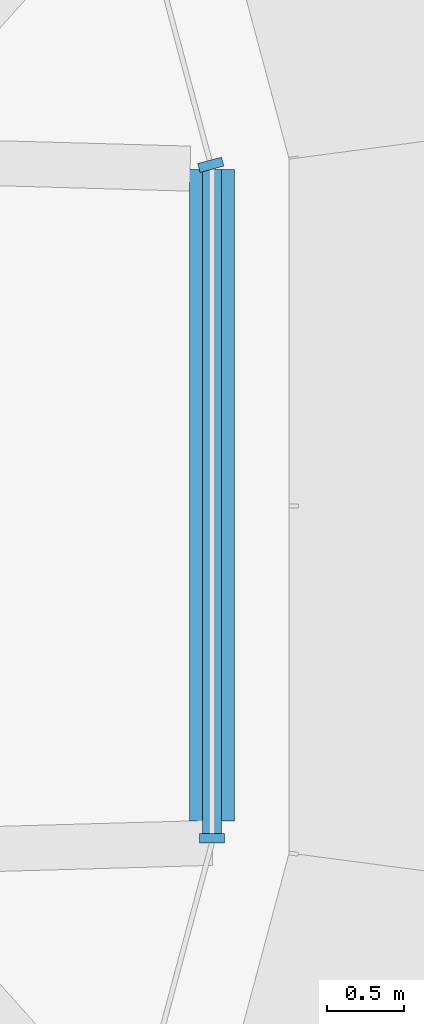
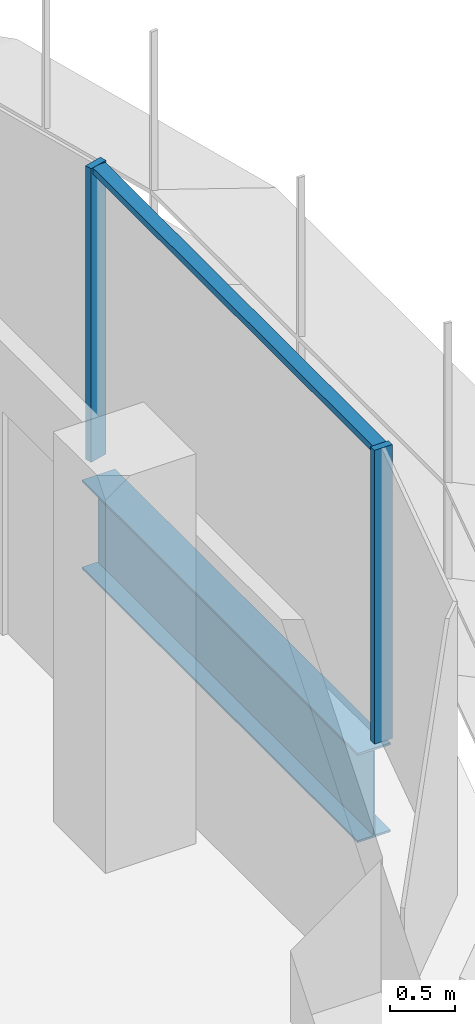
# One storey, part 11 of 20: 3 members, 1 beam, 2 elements without a shape of their own.
"""IFC4 building model written with IfcOpenShell, lengths in metres."""

from ifc_helpers import new_model, si_unit, direction, frame, origin, origin_2d, place, context, subcontext, project, spatial, polyline, i_section, outline, extrude, source, transform, mapped, material, material_profile, profile_set, type_object, element, aggregate, save


model = new_model("IFC4")

# Units and contexts
model_context = context("Model", 3, precision=1e-05, world=origin(), true_north=direction((0.0, 1.0)))
body_context = subcontext(model_context, "Body", "Model", "MODEL_VIEW")
ifc_project = project(units=[si_unit("LENGTHUNIT", "METRE"), si_unit("AREAUNIT", "SQUARE_METRE"), si_unit("VOLUMEUNIT", "CUBIC_METRE"), si_unit("PLANEANGLEUNIT", "RADIAN"), si_unit("MASSUNIT", "GRAM", prefix="KILO")], contexts=[model_context])

# Site, building, storey
site_placement = place(None, origin())
site = spatial("IfcSite", under=ifc_project, at=site_placement, CompositionType="ELEMENT")
building_placement = place(site_placement, origin())
building = spatial("IfcBuilding", under=site, at=building_placement, Name="Zarbagh Exchange Tower", CompositionType="ELEMENT")
storey_placement = place(building_placement, frame((0.0, 0.0, 186.60009765625)))
storey = spatial("IfcBuildingStorey", under=building, at=storey_placement, Name="L45", CompositionType="ELEMENT", Elevation=186.60009765625)

# Beam
ifc_material_1 = material(Name="Steel ASTM A992 Gr 50", Category="steel")
ifc_material_profile = material_profile(ifc_material_1, i_section(OverallWidth=0.2919921875, OverallDepth=0.835693359375, WebThickness=0.013916015625, FlangeThickness=0.018798828125, at=origin_2d()), Name="W33X118")
ifc_profile_set = profile_set([ifc_material_profile], Name="Steel ASTM A992 Gr 50")
beam_type = type_object("IfcBeamType", Name="Floor girder W33X118", PredefinedType="BEAM", material=ifc_profile_set)
beam_placement = place(storey_placement, frame((31.0, 2.18408203125, -0.56787109375), z_axis=(0.0, -1.0, 0.0), x_axis=(1.0, 0.0, 0.0)))
element("IfcBeam", 1, at=beam_placement, inside=storey, type_object=beam_type, Name="Steel girder", PredefinedType="BEAM", context=body_context, shape_type="SweptSolid", body=[
    extrude(i_section(OverallWidth=0.2919921875, OverallDepth=0.835693359375, WebThickness=0.013916015625, FlangeThickness=0.018798828125, at=origin_2d()), origin(), (0.0, 0.0, 1.0), 4.226318359375),
])

# Curtain wall, member
ifc_material_2 = material(Name="Anodised aluminium frame and glazing", Category="aluminium")
curtain_wall_type = type_object("IfcCurtainWallType", Name="CWB Ribbon glazing, upper zones", PredefinedType="NOTDEFINED", material=ifc_material_2)
curtain_wall_1_placement = place(storey_placement, origin())
curtain_wall_1 = element("IfcCurtainWall", 2, at=curtain_wall_1_placement, inside=storey, type_object=curtain_wall_type, Name="CWB12 curtain wall", PredefinedType="NOTDEFINED")
ifc_material_3 = material(Name="Anodised aluminium frame", Category="aluminium")
member_type_1 = type_object("IfcMemberType", Name="MUB Mullion, anodised aluminium frame", PredefinedType="MULLION", material=ifc_material_3)
shared_shape_1 = source(origin(), body_context, "Body", "SweptSolid", [
    extrude(outline(polyline([(0.0, -0.080078125), (0.06005859375, -0.080078125), (0.06005859375, 0.080078125), (0.0, 0.080078125), (0.0, -0.080078125)])), origin(), (0.0, 0.0, 1.0), 2.75),
])
placement = place(storey_placement, origin())
member_1 = element("IfcMember", 3, at=placement, type_object=member_type_1, Name="CWB12 mullion 1.1", PredefinedType="MULLION", context=body_context, shape_type="MappedRepresentation", body=[
    mapped(shared_shape_1, transform((31.0, -2.18408203125, 0.0), x_axis=(0.0, 1.0, 0.0), y_axis=(-1.0, 0.0, 0.0), z_axis=(0.0, 0.0, 1.0))),
])

curtain_wall_2_placement = place(storey_placement, origin())
curtain_wall_2 = element("IfcCurtainWall", 4, at=curtain_wall_2_placement, inside=storey, type_object=curtain_wall_type, Name="CWB13 curtain wall", PredefinedType="NOTDEFINED")
member_2 = element("IfcMember", 5, at=placement, type_object=member_type_1, Name="CWB13 mullion 1.1", PredefinedType="MULLION", context=body_context, shape_type="MappedRepresentation", body=[
    mapped(shared_shape_1, transform((31.0, 2.18408203125, 0.0), x_axis=(-0.258824779902, 0.965924289636, 0.0), y_axis=(-0.965924289636, -0.258824779902, 0.0), z_axis=(0.0, 0.0, 1.0))),
])
aggregate(curtain_wall_2, [member_2])

# Member
member_type_2 = type_object("IfcMemberType", Name="TRB Transom, anodised aluminium frame", PredefinedType="USERDEFINED", material=ifc_material_3)
shared_shape_2 = source(origin(), body_context, "Body", "SweptSolid", [
    extrude(outline(polyline([(-0.06005859375, -0.06005859375), (0.0, -0.06005859375), (0.0, 0.06005859375), (-0.06005859375, 0.06005859375), (-0.06005859375, -0.06005859375)])), origin(), (0.0, 0.0, 1.0), 4.308349609375),
])
member_3 = element("IfcMember", 6, at=placement, type_object=member_type_2, Name="CWB12 transom 1.1", ObjectType="TRANSOM", PredefinedType="USERDEFINED", context=body_context, shape_type="MappedRepresentation", body=[
    mapped(shared_shape_2, transform((31.0, -2.124267578125, 2.75), x_axis=(0.0, 0.0, 1.0), y_axis=(1.0, 0.0, 0.0), z_axis=(0.0, 1.0, 0.0))),
])

aggregate(curtain_wall_1, [member_1, member_3])

save(model, "model.ifc")
